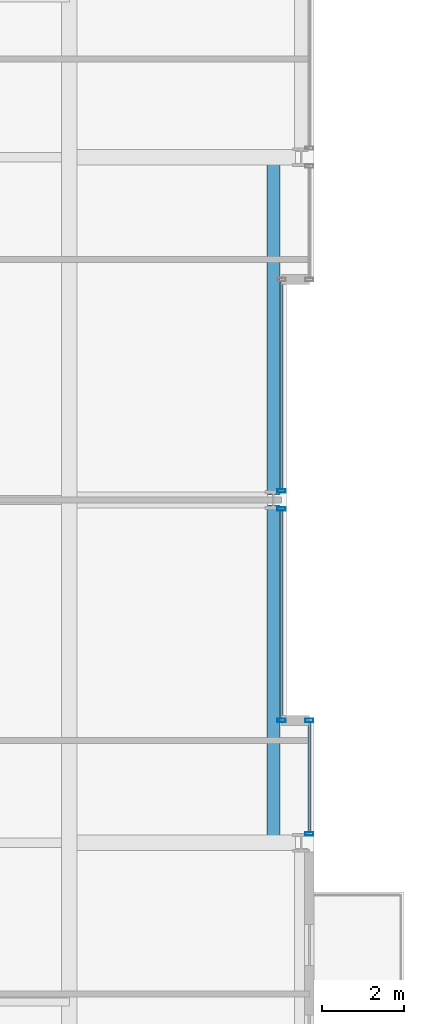
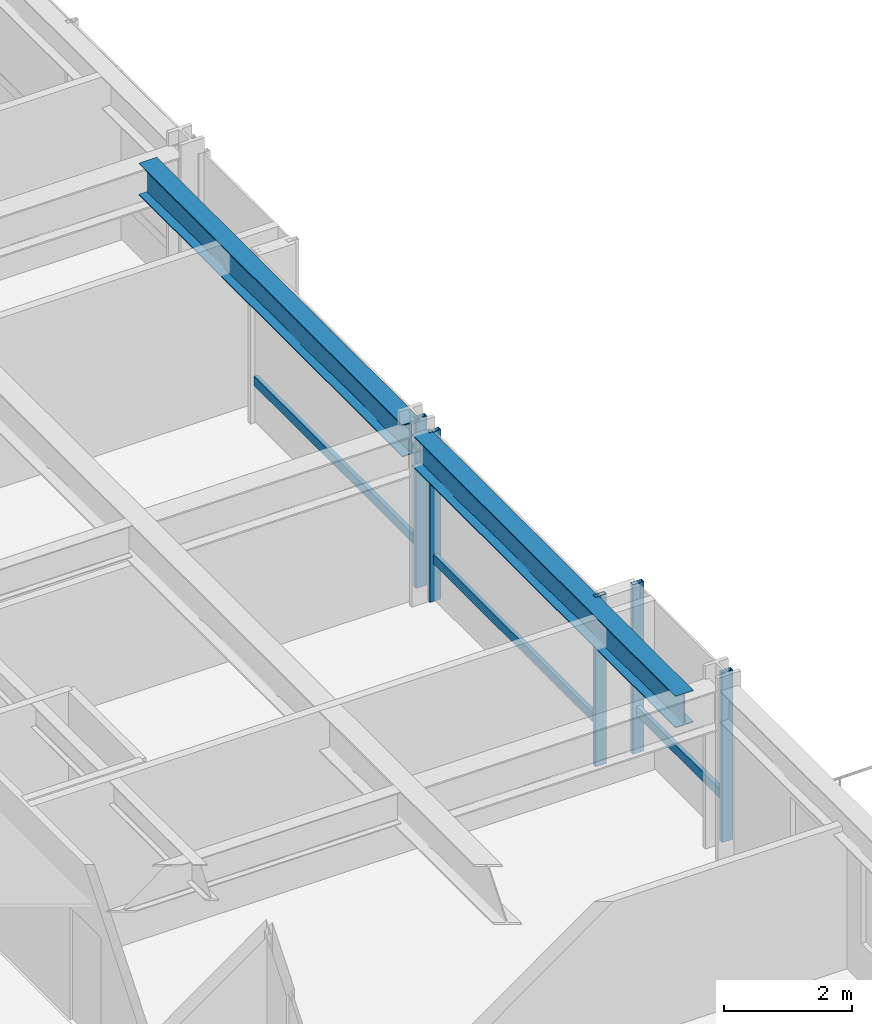
# One storey, part 15 of 35: 8 members, 2 beams, 3 elements without a shape of their own.
"""IFC4 building model written with IfcOpenShell, lengths in metres."""

from ifc_helpers import new_model, si_unit, direction, frame, origin, origin_2d, place, context, subcontext, project, spatial, hollow_rectangle, i_section, extrude, material, layer, layer_set, material_profile, profile_set, type_object, element, aggregate, save


model = new_model("IFC4")

# Units and contexts
model_context = context("Model", 3, precision=1e-05, world=origin(), true_north=direction((0.0, 1.0)))
body_context = subcontext(model_context, "Body", "Model", "MODEL_VIEW")
ifc_project = project(units=[si_unit("LENGTHUNIT", "METRE"), si_unit("AREAUNIT", "SQUARE_METRE"), si_unit("VOLUMEUNIT", "CUBIC_METRE"), si_unit("PLANEANGLEUNIT", "RADIAN"), si_unit("MASSUNIT", "GRAM", prefix="KILO")], contexts=[model_context])

# Site, building, storey
site_placement = place(None, origin())
site = spatial("IfcSite", under=ifc_project, at=site_placement, CompositionType="ELEMENT")
building_placement = place(site_placement, origin())
building = spatial("IfcBuilding", under=site, at=building_placement, Name="Drelvath Grand Hotel", CompositionType="ELEMENT")
storey_placement = place(building_placement, frame((0.0, 0.0, 98.800048828125)))
storey = spatial("IfcBuildingStorey", under=building, at=storey_placement, Name="L24", CompositionType="ELEMENT", Elevation=98.800048828125)

# Curtain wall, member
ifc_material_1 = material(Name="Champagne Bronze Anodised Aluminium Frame", Category="aluminium")
ifc_layer = layer(ifc_material_1, 0.199951171875)
ifc_layer_set = layer_set([ifc_layer], Name="Champagne Bronze Anodised Aluminium Frame")
curtain_wall_type = type_object("IfcCurtainWallType", Name="Stick Curtain Wall CW-03 Champagne Bronze Mid-Rise", PredefinedType="NOTDEFINED", material=ifc_layer_set)
curtain_wall_1_placement = place(storey_placement, origin())
curtain_wall_1 = element("IfcCurtainWall", 1, at=curtain_wall_1_placement, inside=storey, type_object=curtain_wall_type, Name="L24 CW-03 Curtain Wall CW03-L24-EM1", PredefinedType="NOTDEFINED")
ifc_material_profile_1 = material_profile(ifc_material_1, hollow_rectangle(XDim=0.074951171875, YDim=0.179931640625, WallThickness=0.0048828125, at=origin_2d()), Name="HSS180X75X5")
ifc_profile_set_1 = profile_set([ifc_material_profile_1], Name="Champagne Bronze Anodised Aluminium Frame")
member_type_1 = type_object("IfcMemberType", Name="Curtain Wall Horizontal Transom CW-03 HSS180X75X5", PredefinedType="USERDEFINED", material=ifc_profile_set_1)
member_1_placement = place(storey_placement, frame((21.39990234375, 26.740478515625, 0.81005859375), z_axis=(0.0, -1.0, 0.0), x_axis=(1.0, 0.0, 0.0)))
member_1 = element("IfcMember", 2, at=member_1_placement, type_object=member_type_1, Name="CW03-L24-EM1 Sill Transom", ObjectType="TRANSOM", PredefinedType="USERDEFINED", context=body_context, shape_type="SweptSolid", body=[
    extrude(hollow_rectangle(XDim=0.074951171875, YDim=0.179931640625, WallThickness=0.0048828125, at=origin_2d()), origin(), (0.0, 0.0, 1.0), 5.1005859375),
])

curtain_wall_2_placement = place(storey_placement, origin())
curtain_wall_2 = element("IfcCurtainWall", 3, at=curtain_wall_2_placement, inside=storey, type_object=curtain_wall_type, Name="L24 CW-03 Curtain Wall CW03-L24-EM2", PredefinedType="NOTDEFINED")
member_2_placement = place(storey_placement, frame((21.39990234375, 32.360107421875, 0.81005859375), z_axis=(0.0, -1.0, 0.0), x_axis=(1.0, 0.0, 0.0)))
member_2 = element("IfcMember", 4, at=member_2_placement, type_object=member_type_1, Name="CW03-L24-EM2 Sill Transom", ObjectType="TRANSOM", PredefinedType="USERDEFINED", context=body_context, shape_type="SweptSolid", body=[
    extrude(hollow_rectangle(XDim=0.074951171875, YDim=0.179931640625, WallThickness=0.0048828125, at=origin_2d()), origin(), (0.0, 0.0, 1.0), 5.1005859375),
])

curtain_wall_3_placement = place(storey_placement, origin())
curtain_wall_3 = element("IfcCurtainWall", 5, at=curtain_wall_3_placement, inside=storey, type_object=curtain_wall_type, Name="L24 CW-03 Curtain Wall CW03-L24-ES3", PredefinedType="NOTDEFINED")
member_3_placement = place(storey_placement, frame((22.080078125, 21.56005859375, 0.81005859375), z_axis=(0.0, -1.0, 0.0), x_axis=(1.0, 0.0, 0.0)))
member_3 = element("IfcMember", 6, at=member_3_placement, type_object=member_type_1, Name="CW03-L24-ES3 Sill Transom", ObjectType="TRANSOM", PredefinedType="USERDEFINED", context=body_context, shape_type="SweptSolid", body=[
    extrude(hollow_rectangle(XDim=0.074951171875, YDim=0.179931640625, WallThickness=0.0048828125, at=origin_2d()), origin(), (0.0, 0.0, 1.0), 2.700439453125),
])

# Member
ifc_material_profile_2 = material_profile(ifc_material_1, hollow_rectangle(XDim=0.080078125, YDim=0.199951171875, WallThickness=0.0048828125, at=origin_2d()), Name="HSS200X80X5")
ifc_profile_set_2 = profile_set([ifc_material_profile_2], Name="Champagne Bronze Anodised Aluminium Frame")
member_type_2 = type_object("IfcMemberType", Name="Curtain Wall Vertical Mullion CW-03 HSS200X80X5", PredefinedType="MULLION", material=ifc_profile_set_2)
member_4_placement = place(storey_placement, frame((21.39990234375, 26.780517578125, 0.0), z_axis=(0.0, 0.0, 1.0), x_axis=(0.0, 1.0, 0.0)))
member_4 = element("IfcMember", 7, at=member_4_placement, type_object=member_type_2, Name="CW03-L24-EM1 Mullion 1", PredefinedType="MULLION", context=body_context, shape_type="SweptSolid", body=[
    extrude(hollow_rectangle(XDim=0.080078125, YDim=0.199951171875, WallThickness=0.0048828125, at=origin_2d()), origin(), (0.0, 0.0, 1.0), 3.239990234375),
])

member_5_placement = place(storey_placement, frame((21.39990234375, 21.60009765625, 0.0), z_axis=(0.0, 0.0, 1.0), x_axis=(0.0, 1.0, 0.0)))
member_5 = element("IfcMember", 8, at=member_5_placement, type_object=member_type_2, Name="CW03-L24-EM1 Mullion 2", PredefinedType="MULLION", context=body_context, shape_type="SweptSolid", body=[
    extrude(hollow_rectangle(XDim=0.080078125, YDim=0.199951171875, WallThickness=0.0048828125, at=origin_2d()), origin(), (0.0, 0.0, 1.0), 3.239990234375),
])

aggregate(curtain_wall_1, [member_4, member_5, member_1])

member_6_placement = place(storey_placement, frame((21.39990234375, 27.219482421875, 0.0), z_axis=(0.0, 0.0, 1.0), x_axis=(0.0, 1.0, 0.0)))
member_6 = element("IfcMember", 9, at=member_6_placement, type_object=member_type_2, Name="CW03-L24-EM2 Mullion 2", PredefinedType="MULLION", context=body_context, shape_type="SweptSolid", body=[
    extrude(hollow_rectangle(XDim=0.080078125, YDim=0.199951171875, WallThickness=0.0048828125, at=origin_2d()), origin(), (0.0, 0.0, 1.0), 3.239990234375),
])

aggregate(curtain_wall_2, [member_6, member_2])

member_7_placement = place(storey_placement, frame((22.080078125, 21.60009765625, 0.0), z_axis=(0.0, 0.0, 1.0), x_axis=(0.0, 1.0, 0.0)))
member_7 = element("IfcMember", 10, at=member_7_placement, type_object=member_type_2, Name="CW03-L24-ES3 Mullion 1", PredefinedType="MULLION", context=body_context, shape_type="SweptSolid", body=[
    extrude(hollow_rectangle(XDim=0.080078125, YDim=0.199951171875, WallThickness=0.0048828125, at=origin_2d()), origin(), (0.0, 0.0, 1.0), 3.239990234375),
])

member_8_placement = place(storey_placement, frame((22.080078125, 18.819580078125, 0.0), z_axis=(0.0, 0.0, 1.0), x_axis=(0.0, 1.0, 0.0)))
member_8 = element("IfcMember", 11, at=member_8_placement, type_object=member_type_2, Name="CW03-L24-ES3 Mullion 2", PredefinedType="MULLION", context=body_context, shape_type="SweptSolid", body=[
    extrude(hollow_rectangle(XDim=0.080078125, YDim=0.199951171875, WallThickness=0.0048828125, at=origin_2d()), origin(), (0.0, 0.0, 1.0), 3.239990234375),
])

aggregate(curtain_wall_3, [member_7, member_8, member_3])

# Beams
ifc_material_2 = material(Name="Steel ASTM A992 Gr 50", Category="steel")
ifc_material_profile_3 = material_profile(ifc_material_2, i_section(OverallWidth=0.323974609375, OverallDepth=0.611083984375, WebThickness=0.0126953125, FlangeThickness=0.01904296875, FilletRadius=0.02197265625, at=origin_2d()), Name="W24X104")
ifc_profile_set_3 = profile_set([ifc_material_profile_3], Name="Steel ASTM A992 Gr 50")
beam_type = type_object("IfcBeamType", Name="Perimeter Spandrel Beam W24X104", PredefinedType="SPANDREL", material=ifc_profile_set_3)
for number, where, z_axis, x_axis, name in (
    (12, (21.199951171875, 18.60009765625, 2.9345703125), (0.0, 1.0, 0.0), (-1.0, 0.0, 0.0), "L24 Spandrel East Mid S"),
    (13, (21.199951171875, 27.139892578125, 2.9345703125), (0.0, 1.0, 0.0), (-1.0, 0.0, 0.0), "L24 Spandrel East Mid N"),
):
    element("IfcBeam", number, at=place(storey_placement, frame(where, z_axis=z_axis, x_axis=x_axis)), inside=storey, type_object=beam_type, Name=name, PredefinedType="SPANDREL", context=body_context, shape_type="SweptSolid", body=[
        extrude(i_section(OverallWidth=0.323974609375, OverallDepth=0.611083984375, WebThickness=0.0126953125, FlangeThickness=0.01904296875, FilletRadius=0.02197265625, at=origin_2d()), origin(), (0.0, 0.0, 1.0), 8.260009765625),
    ])

save(model, "model.ifc")
